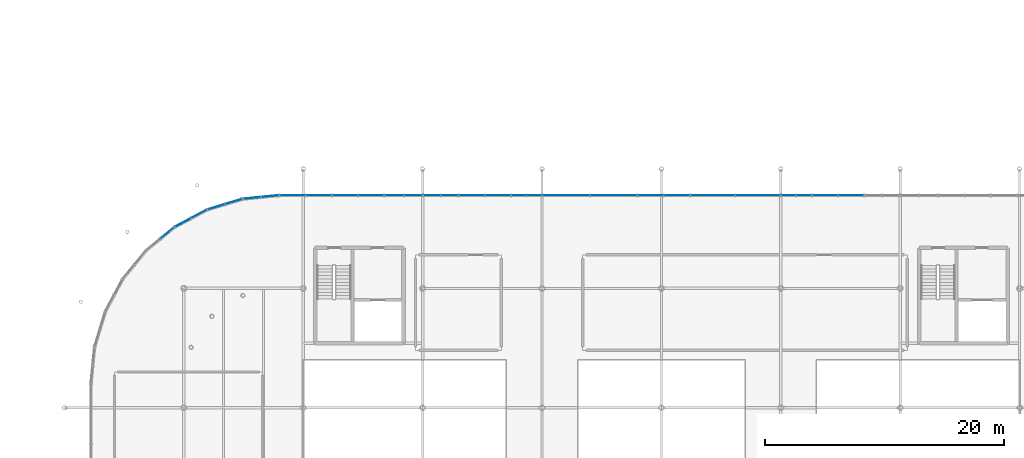
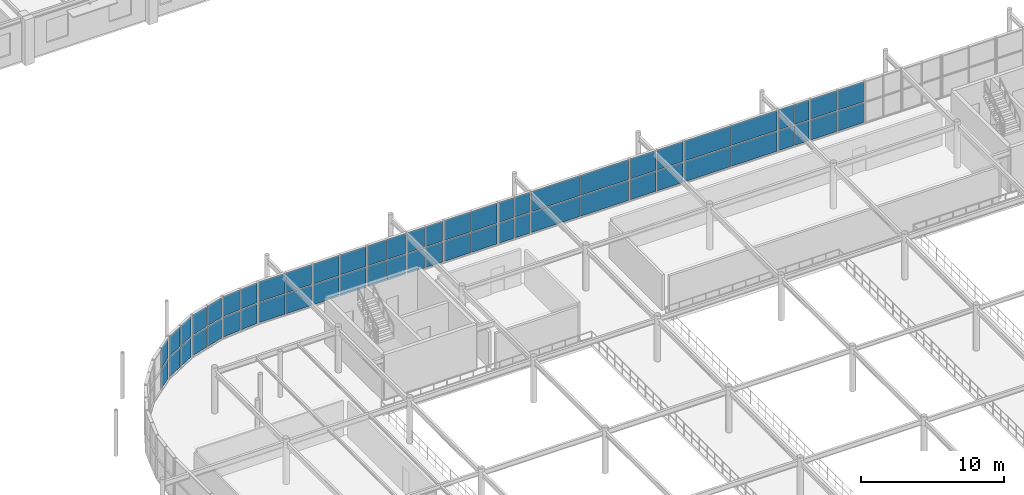
# One storey, part 68 of 98: 58 plates, 15 elements without a shape of their own.
"""IFC4 building model written with IfcOpenShell, lengths in metres."""

from ifc_helpers import new_model, si_unit, derived_unit, direction, frame, origin, origin_2d_with_axis, place, context, subcontext, project, spatial, rectangle, extrude, material, layer, layer_set, type_object, element, aggregate, save


model = new_model("IFC4")

# Units and contexts
model_context = context("Model", 3, precision=1e-05, world=origin(), true_north=direction((0.0, 1.0)))
body_context = subcontext(model_context, "Body", "Model", "MODEL_VIEW")
ifc_project = project(units=[si_unit("LENGTHUNIT", "METRE"), si_unit("AREAUNIT", "SQUARE_METRE"), si_unit("VOLUMEUNIT", "CUBIC_METRE"), si_unit("PLANEANGLEUNIT", "RADIAN"), si_unit("MASSUNIT", "GRAM", prefix="KILO"), derived_unit("THERMALTRANSMITTANCEUNIT", [(si_unit("POWERUNIT", "WATT"), 1), (si_unit("LENGTHUNIT", "METRE"), -2), (si_unit("THERMODYNAMICTEMPERATUREUNIT", "KELVIN"), -1)])], contexts=[model_context])

# Site, building, storey
site_placement = place(None, origin())
site = spatial("IfcSite", under=ifc_project, at=site_placement, CompositionType="ELEMENT")
building_placement = place(site_placement, origin())
building = spatial("IfcBuilding", under=site, at=building_placement, Name="Cinnabar Yard Market Hall", CompositionType="ELEMENT")
storey_placement = place(building_placement, frame((0.0, 0.0, 4.5)))
storey = spatial("IfcBuildingStorey", under=building, at=storey_placement, Name="L01", CompositionType="ELEMENT", Elevation=4.5)

# Curtain wall, plates
ifc_material_1 = material(Name="Anodised bronze aluminium and low-E glass", Category="aluminium")
curtain_wall_type_1 = type_object("IfcCurtainWallType", Name="CW-CWH026x36", PredefinedType="NOTDEFINED", material=ifc_material_1)
curtain_wall_1_placement = place(storey_placement, origin())
curtain_wall_1 = element("IfcCurtainWall", 1, at=curtain_wall_1_placement, inside=storey, type_object=curtain_wall_type_1, Name="Market Hall North Gallery Glazing B2B", PredefinedType="NOTDEFINED")
ifc_material_2 = material(Name="Low-E laminated glass", Category="glass")
ifc_layer_1 = layer(ifc_material_2, 0.031982421875)
ifc_layer_set_1 = layer_set([ifc_layer_1], Name="Low-E laminated glass")
plate_type_1 = type_object("IfcPlateType", Name="CWP-GP118x171", PredefinedType="CURTAIN_PANEL", material=ifc_layer_set_1)
plate_1_placement = place(storey_placement, frame((105.330078125, 71.800048828125, 0.080078125), z_axis=(0.0, 0.0, 1.0), x_axis=(-1.0, 0.0, 0.0)))
plate_1 = element("IfcPlate", 2, at=plate_1_placement, type_object=plate_type_1, Name="CWH026x36 panel 1.1", PredefinedType="CURTAIN_PANEL", context=body_context, shape_type="SweptSolid", body=[
    extrude(rectangle(XDim=1.179931640625, YDim=0.031982421875, at=origin_2d_with_axis()), origin(), (0.0, 0.0, 1.0), 1.705078125),
])
plate_2_placement = place(storey_placement, frame((105.330078125, 71.800048828125, 1.864990234375), z_axis=(0.0, 0.0, 1.0), x_axis=(-1.0, 0.0, 0.0)))
plate_2 = element("IfcPlate", 3, at=plate_2_placement, type_object=plate_type_1, Name="CWH026x36 panel 1.2", PredefinedType="CURTAIN_PANEL", context=body_context, shape_type="SweptSolid", body=[
    extrude(rectangle(XDim=1.179931640625, YDim=0.031982421875, at=origin_2d_with_axis()), origin(), (0.0, 0.0, 1.0), 1.705078125),
])
plate_3_placement = place(storey_placement, frame((104.070068359375, 71.800048828125, 0.080078125), z_axis=(0.0, 0.0, 1.0), x_axis=(-1.0, 0.0, 0.0)))
plate_3 = element("IfcPlate", 4, at=plate_3_placement, type_object=plate_type_1, Name="CWH026x36 panel 2.1", PredefinedType="CURTAIN_PANEL", context=body_context, shape_type="SweptSolid", body=[
    extrude(rectangle(XDim=1.179931640625, YDim=0.031982421875, at=origin_2d_with_axis()), origin(), (0.0, 0.0, 1.0), 1.705078125),
])
plate_4_placement = place(storey_placement, frame((104.070068359375, 71.800048828125, 1.864990234375), z_axis=(0.0, 0.0, 1.0), x_axis=(-1.0, 0.0, 0.0)))
plate_4 = element("IfcPlate", 5, at=plate_4_placement, type_object=plate_type_1, Name="CWH026x36 panel 2.2", PredefinedType="CURTAIN_PANEL", context=body_context, shape_type="SweptSolid", body=[
    extrude(rectangle(XDim=1.179931640625, YDim=0.031982421875, at=origin_2d_with_axis()), origin(), (0.0, 0.0, 1.0), 1.705078125),
])
aggregate(curtain_wall_1, [plate_1, plate_2, plate_3, plate_4])

curtain_wall_2_placement = place(storey_placement, origin())
curtain_wall_2 = element("IfcCurtainWall", 6, at=curtain_wall_2_placement, inside=storey, type_object=curtain_wall_type_1, Name="Market Hall North Gallery Glazing B5A", PredefinedType="NOTDEFINED")
plate_5_placement = place(storey_placement, frame((127.929931640625, 71.800048828125, 0.080078125), z_axis=(0.0, 0.0, 1.0), x_axis=(-1.0, 0.0, 0.0)))
plate_5 = element("IfcPlate", 7, at=plate_5_placement, type_object=plate_type_1, Name="CWH026x36 panel 1.1", PredefinedType="CURTAIN_PANEL", context=body_context, shape_type="SweptSolid", body=[
    extrude(rectangle(XDim=1.179931640625, YDim=0.031982421875, at=origin_2d_with_axis()), origin(), (0.0, 0.0, 1.0), 1.705078125),
])
plate_6_placement = place(storey_placement, frame((127.929931640625, 71.800048828125, 1.864990234375), z_axis=(0.0, 0.0, 1.0), x_axis=(-1.0, 0.0, 0.0)))
plate_6 = element("IfcPlate", 8, at=plate_6_placement, type_object=plate_type_1, Name="CWH026x36 panel 1.2", PredefinedType="CURTAIN_PANEL", context=body_context, shape_type="SweptSolid", body=[
    extrude(rectangle(XDim=1.179931640625, YDim=0.031982421875, at=origin_2d_with_axis()), origin(), (0.0, 0.0, 1.0), 1.705078125),
])
plate_7_placement = place(storey_placement, frame((126.669921875, 71.800048828125, 0.080078125), z_axis=(0.0, 0.0, 1.0), x_axis=(-1.0, 0.0, 0.0)))
plate_7 = element("IfcPlate", 9, at=plate_7_placement, type_object=plate_type_1, Name="CWH026x36 panel 2.1", PredefinedType="CURTAIN_PANEL", context=body_context, shape_type="SweptSolid", body=[
    extrude(rectangle(XDim=1.179931640625, YDim=0.031982421875, at=origin_2d_with_axis()), origin(), (0.0, 0.0, 1.0), 1.705078125),
])
plate_8_placement = place(storey_placement, frame((126.669921875, 71.800048828125, 1.864990234375), z_axis=(0.0, 0.0, 1.0), x_axis=(-1.0, 0.0, 0.0)))
plate_8 = element("IfcPlate", 10, at=plate_8_placement, type_object=plate_type_1, Name="CWH026x36 panel 2.2", PredefinedType="CURTAIN_PANEL", context=body_context, shape_type="SweptSolid", body=[
    extrude(rectangle(XDim=1.179931640625, YDim=0.031982421875, at=origin_2d_with_axis()), origin(), (0.0, 0.0, 1.0), 1.705078125),
])
aggregate(curtain_wall_2, [plate_5, plate_6, plate_7, plate_8])

curtain_wall_type_2 = type_object("IfcCurtainWallType", Name="CW-CWH030x36", PredefinedType="NOTDEFINED", material=ifc_material_1)
curtain_wall_3_placement = place(storey_placement, origin())
curtain_wall_3 = element("IfcCurtainWall", 11, at=curtain_wall_3_placement, inside=storey, type_object=curtain_wall_type_2, Name="Market Hall North Gallery Glazing B2A", PredefinedType="NOTDEFINED")
ifc_layer_2 = layer(ifc_material_2, 0.031982421875)
ifc_layer_set_2 = layer_set([ifc_layer_2], Name="Low-E laminated glass")
plate_type_2 = type_object("IfcPlateType", Name="CWP-GP138x171", PredefinedType="CURTAIN_PANEL", material=ifc_layer_set_2)
plate_9_placement = place(storey_placement, frame((98.22998046875, 71.800048828125, 0.080078125), z_axis=(0.0, 0.0, 1.0), x_axis=(-1.0, 0.0, 0.0)))
plate_9 = element("IfcPlate", 12, at=plate_9_placement, type_object=plate_type_2, Name="CWH030x36 panel 1.1", PredefinedType="CURTAIN_PANEL", context=body_context, shape_type="SweptSolid", body=[
    extrude(rectangle(XDim=1.3798828125, YDim=0.031982421875, at=origin_2d_with_axis()), origin(), (0.0, 0.0, 1.0), 1.705078125),
])
plate_10_placement = place(storey_placement, frame((98.22998046875, 71.800048828125, 1.864990234375), z_axis=(0.0, 0.0, 1.0), x_axis=(-1.0, 0.0, 0.0)))
plate_10 = element("IfcPlate", 13, at=plate_10_placement, type_object=plate_type_2, Name="CWH030x36 panel 1.2", PredefinedType="CURTAIN_PANEL", context=body_context, shape_type="SweptSolid", body=[
    extrude(rectangle(XDim=1.3798828125, YDim=0.031982421875, at=origin_2d_with_axis()), origin(), (0.0, 0.0, 1.0), 1.705078125),
])
plate_11_placement = place(storey_placement, frame((96.77001953125, 71.800048828125, 0.080078125), z_axis=(0.0, 0.0, 1.0), x_axis=(-1.0, 0.0, 0.0)))
plate_11 = element("IfcPlate", 14, at=plate_11_placement, type_object=plate_type_2, Name="CWH030x36 panel 2.1", PredefinedType="CURTAIN_PANEL", context=body_context, shape_type="SweptSolid", body=[
    extrude(rectangle(XDim=1.3798828125, YDim=0.031982421875, at=origin_2d_with_axis()), origin(), (0.0, 0.0, 1.0), 1.705078125),
])
plate_12_placement = place(storey_placement, frame((96.77001953125, 71.800048828125, 1.864990234375), z_axis=(0.0, 0.0, 1.0), x_axis=(-1.0, 0.0, 0.0)))
plate_12 = element("IfcPlate", 15, at=plate_12_placement, type_object=plate_type_2, Name="CWH030x36 panel 2.2", PredefinedType="CURTAIN_PANEL", context=body_context, shape_type="SweptSolid", body=[
    extrude(rectangle(XDim=1.3798828125, YDim=0.031982421875, at=origin_2d_with_axis()), origin(), (0.0, 0.0, 1.0), 1.705078125),
])
aggregate(curtain_wall_3, [plate_9, plate_10, plate_11, plate_12])

ifc_material_3 = material(Name="Anodised bronze aluminium curved-chord facade", Category="aluminium")
curtain_wall_type_3 = type_object("IfcCurtainWallType", Name="CW-CWC031x36", PredefinedType="NOTDEFINED", material=ifc_material_3)
curtain_wall_4_placement = place(storey_placement, origin())
curtain_wall_4 = element("IfcCurtainWall", 16, at=curtain_wall_4_placement, inside=storey, type_object=curtain_wall_type_3, Name="Corner NW Chord 1 L01", PredefinedType="NOTDEFINED")
ifc_layer_3 = layer(ifc_material_2, 0.031982421875)
ifc_layer_set_3 = layer_set([ifc_layer_3], Name="Low-E laminated glass")
plate_type_3 = type_object("IfcPlateType", Name="CWP-GP141x169", PredefinedType="CURTAIN_PANEL", material=ifc_layer_set_3)
plate_13_placement = place(storey_placement, frame((83.20703125, 71.721923828125, 0.090087890625), z_axis=(0.0, 0.0, 1.0), x_axis=(-0.995184408637, -0.098020369342, 0.0)))
plate_13 = element("IfcPlate", 17, at=plate_13_placement, type_object=plate_type_3, Name="CWC031x36 panel 1.1", PredefinedType="CURTAIN_PANEL", context=body_context, shape_type="SweptSolid", body=[
    extrude(rectangle(XDim=1.41357421875, YDim=0.031982421875, at=origin_2d_with_axis()), origin(), (0.0, 0.0, 1.0), 1.68994140625),
])
plate_14_placement = place(storey_placement, frame((83.20703125, 71.721923828125, 1.8701171875), z_axis=(0.0, 0.0, 1.0), x_axis=(-0.995184408637, -0.098020369342, 0.0)))
plate_14 = element("IfcPlate", 18, at=plate_14_placement, type_object=plate_type_3, Name="CWC031x36 panel 1.2", PredefinedType="CURTAIN_PANEL", context=body_context, shape_type="SweptSolid", body=[
    extrude(rectangle(XDim=1.41357421875, YDim=0.031982421875, at=origin_2d_with_axis()), origin(), (0.0, 0.0, 1.0), 1.68994140625),
])
plate_15_placement = place(storey_placement, frame((81.710693359375, 71.574462890625, 0.090087890625), z_axis=(0.0, 0.0, 1.0), x_axis=(-0.995184408637, -0.098020369342, 0.0)))
plate_15 = element("IfcPlate", 19, at=plate_15_placement, type_object=plate_type_3, Name="CWC031x36 panel 2.1", PredefinedType="CURTAIN_PANEL", context=body_context, shape_type="SweptSolid", body=[
    extrude(rectangle(XDim=1.41357421875, YDim=0.031982421875, at=origin_2d_with_axis()), origin(), (0.0, 0.0, 1.0), 1.68994140625),
])
plate_16_placement = place(storey_placement, frame((81.710693359375, 71.574462890625, 1.8701171875), z_axis=(0.0, 0.0, 1.0), x_axis=(-0.995184408637, -0.098020369342, 0.0)))
plate_16 = element("IfcPlate", 20, at=plate_16_placement, type_object=plate_type_3, Name="CWC031x36 panel 2.2", PredefinedType="CURTAIN_PANEL", context=body_context, shape_type="SweptSolid", body=[
    extrude(rectangle(XDim=1.41357421875, YDim=0.031982421875, at=origin_2d_with_axis()), origin(), (0.0, 0.0, 1.0), 1.68994140625),
])
aggregate(curtain_wall_4, [plate_13, plate_14, plate_15, plate_16])

curtain_wall_5_placement = place(storey_placement, origin())
curtain_wall_5 = element("IfcCurtainWall", 21, at=curtain_wall_5_placement, inside=storey, type_object=curtain_wall_type_3, Name="Corner NW Chord 2 L01", PredefinedType="NOTDEFINED")
plate_17_placement = place(storey_placement, frame((80.155029296875, 71.26513671875, 0.090087890625), z_axis=(0.0, 0.0, 1.0), x_axis=(-0.956942090856, -0.290278891325, 0.0)))
plate_17 = element("IfcPlate", 22, at=plate_17_placement, type_object=plate_type_3, Name="CWC031x36 panel 1.1", PredefinedType="CURTAIN_PANEL", context=body_context, shape_type="SweptSolid", body=[
    extrude(rectangle(XDim=1.41357421875, YDim=0.031982421875, at=origin_2d_with_axis()), origin(), (0.0, 0.0, 1.0), 1.68994140625),
])
plate_18_placement = place(storey_placement, frame((80.155029296875, 71.26513671875, 1.8701171875), z_axis=(0.0, 0.0, 1.0), x_axis=(-0.956942090856, -0.290278891325, 0.0)))
plate_18 = element("IfcPlate", 23, at=plate_18_placement, type_object=plate_type_3, Name="CWC031x36 panel 1.2", PredefinedType="CURTAIN_PANEL", context=body_context, shape_type="SweptSolid", body=[
    extrude(rectangle(XDim=1.41357421875, YDim=0.031982421875, at=origin_2d_with_axis()), origin(), (0.0, 0.0, 1.0), 1.68994140625),
])
plate_19_placement = place(storey_placement, frame((78.716064453125, 70.82861328125, 0.090087890625), z_axis=(0.0, 0.0, 1.0), x_axis=(-0.956942090856, -0.290278891325, 0.0)))
plate_19 = element("IfcPlate", 24, at=plate_19_placement, type_object=plate_type_3, Name="CWC031x36 panel 2.1", PredefinedType="CURTAIN_PANEL", context=body_context, shape_type="SweptSolid", body=[
    extrude(rectangle(XDim=1.41357421875, YDim=0.031982421875, at=origin_2d_with_axis()), origin(), (0.0, 0.0, 1.0), 1.68994140625),
])
plate_20_placement = place(storey_placement, frame((78.716064453125, 70.82861328125, 1.8701171875), z_axis=(0.0, 0.0, 1.0), x_axis=(-0.956942090856, -0.290278891325, 0.0)))
plate_20 = element("IfcPlate", 25, at=plate_20_placement, type_object=plate_type_3, Name="CWC031x36 panel 2.2", PredefinedType="CURTAIN_PANEL", context=body_context, shape_type="SweptSolid", body=[
    extrude(rectangle(XDim=1.41357421875, YDim=0.031982421875, at=origin_2d_with_axis()), origin(), (0.0, 0.0, 1.0), 1.68994140625),
])
aggregate(curtain_wall_5, [plate_17, plate_18, plate_19, plate_20])

curtain_wall_6_placement = place(storey_placement, origin())
curtain_wall_6 = element("IfcCurtainWall", 26, at=curtain_wall_6_placement, inside=storey, type_object=curtain_wall_type_3, Name="Corner NW Chord 3 L01", PredefinedType="NOTDEFINED")
plate_21_placement = place(storey_placement, frame((77.2509765625, 70.2216796875, 0.090087890625), z_axis=(0.0, 0.0, 1.0), x_axis=(-0.881917320707, -0.471404114786, 0.0)))
plate_21 = element("IfcPlate", 27, at=plate_21_placement, type_object=plate_type_3, Name="CWC031x36 panel 1.1", PredefinedType="CURTAIN_PANEL", context=body_context, shape_type="SweptSolid", body=[
    extrude(rectangle(XDim=1.41357421875, YDim=0.031982421875, at=origin_2d_with_axis()), origin(), (0.0, 0.0, 1.0), 1.68994140625),
])
plate_22_placement = place(storey_placement, frame((77.2509765625, 70.2216796875, 1.8701171875), z_axis=(0.0, 0.0, 1.0), x_axis=(-0.881917320707, -0.471404114786, 0.0)))
plate_22 = element("IfcPlate", 28, at=plate_22_placement, type_object=plate_type_3, Name="CWC031x36 panel 1.2", PredefinedType="CURTAIN_PANEL", context=body_context, shape_type="SweptSolid", body=[
    extrude(rectangle(XDim=1.41357421875, YDim=0.031982421875, at=origin_2d_with_axis()), origin(), (0.0, 0.0, 1.0), 1.68994140625),
])
plate_23_placement = place(storey_placement, frame((75.9248046875, 69.512939453125, 0.090087890625), z_axis=(0.0, 0.0, 1.0), x_axis=(-0.881917320707, -0.471404114786, 0.0)))
plate_23 = element("IfcPlate", 29, at=plate_23_placement, type_object=plate_type_3, Name="CWC031x36 panel 2.1", PredefinedType="CURTAIN_PANEL", context=body_context, shape_type="SweptSolid", body=[
    extrude(rectangle(XDim=1.41357421875, YDim=0.031982421875, at=origin_2d_with_axis()), origin(), (0.0, 0.0, 1.0), 1.68994140625),
])
plate_24_placement = place(storey_placement, frame((75.9248046875, 69.512939453125, 1.8701171875), z_axis=(0.0, 0.0, 1.0), x_axis=(-0.881917320707, -0.471404114786, 0.0)))
plate_24 = element("IfcPlate", 30, at=plate_24_placement, type_object=plate_type_3, Name="CWC031x36 panel 2.2", PredefinedType="CURTAIN_PANEL", context=body_context, shape_type="SweptSolid", body=[
    extrude(rectangle(XDim=1.41357421875, YDim=0.031982421875, at=origin_2d_with_axis()), origin(), (0.0, 0.0, 1.0), 1.68994140625),
])
aggregate(curtain_wall_6, [plate_21, plate_22, plate_23, plate_24])

curtain_wall_7_placement = place(storey_placement, origin())
curtain_wall_7 = element("IfcCurtainWall", 31, at=curtain_wall_7_placement, inside=storey, type_object=curtain_wall_type_3, Name="Corner NW Chord 4 L01", PredefinedType="NOTDEFINED")
plate_25_placement = place(storey_placement, frame((74.60595703125, 68.631591796875, 0.090087890625), z_axis=(0.0, 0.0, 1.0), x_axis=(-0.773018564222, -0.634383400924, 0.0)))
plate_25 = element("IfcPlate", 32, at=plate_25_placement, type_object=plate_type_3, Name="CWC031x36 panel 1.1", PredefinedType="CURTAIN_PANEL", context=body_context, shape_type="SweptSolid", body=[
    extrude(rectangle(XDim=1.41357421875, YDim=0.031982421875, at=origin_2d_with_axis()), origin(), (0.0, 0.0, 1.0), 1.68994140625),
])
plate_26_placement = place(storey_placement, frame((74.60595703125, 68.631591796875, 1.8701171875), z_axis=(0.0, 0.0, 1.0), x_axis=(-0.773018564222, -0.634383400924, 0.0)))
plate_26 = element("IfcPlate", 33, at=plate_26_placement, type_object=plate_type_3, Name="CWC031x36 panel 1.2", PredefinedType="CURTAIN_PANEL", context=body_context, shape_type="SweptSolid", body=[
    extrude(rectangle(XDim=1.41357421875, YDim=0.031982421875, at=origin_2d_with_axis()), origin(), (0.0, 0.0, 1.0), 1.68994140625),
])
aggregate(curtain_wall_7, [plate_25, plate_26])

curtain_wall_type_4 = type_object("IfcCurtainWallType", Name="CW-CWH032x36", PredefinedType="NOTDEFINED", material=ifc_material_1)
curtain_wall_8_placement = place(storey_placement, origin())
curtain_wall_8 = element("IfcCurtainWall", 34, at=curtain_wall_8_placement, inside=storey, type_object=curtain_wall_type_4, Name="Market Hall North Gallery Glazing B1B", PredefinedType="NOTDEFINED")
ifc_layer_4 = layer(ifc_material_2, 0.031982421875)
ifc_layer_set_4 = layer_set([ifc_layer_4], Name="Low-E laminated glass")
plate_type_4 = type_object("IfcPlateType", Name="CWP-GP148x171", PredefinedType="CURTAIN_PANEL", material=ifc_layer_set_4)
plate_27_placement = place(storey_placement, frame((95.179931640625, 71.800048828125, 0.080078125), z_axis=(0.0, 0.0, 1.0), x_axis=(-1.0, 0.0, 0.0)))
plate_27 = element("IfcPlate", 35, at=plate_27_placement, type_object=plate_type_4, Name="CWH032x36 panel 1.1", PredefinedType="CURTAIN_PANEL", context=body_context, shape_type="SweptSolid", body=[
    extrude(rectangle(XDim=1.47998046875, YDim=0.031982421875, at=origin_2d_with_axis()), origin(), (0.0, 0.0, 1.0), 1.705078125),
])
plate_28_placement = place(storey_placement, frame((95.179931640625, 71.800048828125, 1.864990234375), z_axis=(0.0, 0.0, 1.0), x_axis=(-1.0, 0.0, 0.0)))
plate_28 = element("IfcPlate", 36, at=plate_28_placement, type_object=plate_type_4, Name="CWH032x36 panel 1.2", PredefinedType="CURTAIN_PANEL", context=body_context, shape_type="SweptSolid", body=[
    extrude(rectangle(XDim=1.47998046875, YDim=0.031982421875, at=origin_2d_with_axis()), origin(), (0.0, 0.0, 1.0), 1.705078125),
])
plate_29_placement = place(storey_placement, frame((93.6201171875, 71.800048828125, 0.080078125), z_axis=(0.0, 0.0, 1.0), x_axis=(-1.0, 0.0, 0.0)))
plate_29 = element("IfcPlate", 37, at=plate_29_placement, type_object=plate_type_4, Name="CWH032x36 panel 2.1", PredefinedType="CURTAIN_PANEL", context=body_context, shape_type="SweptSolid", body=[
    extrude(rectangle(XDim=1.47998046875, YDim=0.031982421875, at=origin_2d_with_axis()), origin(), (0.0, 0.0, 1.0), 1.705078125),
])
plate_30_placement = place(storey_placement, frame((93.6201171875, 71.800048828125, 1.864990234375), z_axis=(0.0, 0.0, 1.0), x_axis=(-1.0, 0.0, 0.0)))
plate_30 = element("IfcPlate", 38, at=plate_30_placement, type_object=plate_type_4, Name="CWH032x36 panel 2.2", PredefinedType="CURTAIN_PANEL", context=body_context, shape_type="SweptSolid", body=[
    extrude(rectangle(XDim=1.47998046875, YDim=0.031982421875, at=origin_2d_with_axis()), origin(), (0.0, 0.0, 1.0), 1.705078125),
])
aggregate(curtain_wall_8, [plate_27, plate_28, plate_29, plate_30])

curtain_wall_type_5 = type_object("IfcCurtainWallType", Name="CW-CWH044x36", PredefinedType="NOTDEFINED", material=ifc_material_1)
curtain_wall_9_placement = place(storey_placement, origin())
curtain_wall_9 = element("IfcCurtainWall", 39, at=curtain_wall_9_placement, inside=storey, type_object=curtain_wall_type_5, Name="Market Hall North Gallery Glazing B1A", PredefinedType="NOTDEFINED")
ifc_layer_5 = layer(ifc_material_2, 0.031982421875)
ifc_layer_set_5 = layer_set([ifc_layer_5], Name="Low-E laminated glass")
plate_type_5 = type_object("IfcPlateType", Name="CWP-GP208x171", PredefinedType="CURTAIN_PANEL", material=ifc_layer_set_5)
plate_31_placement = place(storey_placement, frame((87.280029296875, 71.800048828125, 0.080078125), z_axis=(0.0, 0.0, 1.0), x_axis=(-1.0, 0.0, 0.0)))
plate_31 = element("IfcPlate", 40, at=plate_31_placement, type_object=plate_type_5, Name="CWH044x36 panel 1.1", PredefinedType="CURTAIN_PANEL", context=body_context, shape_type="SweptSolid", body=[
    extrude(rectangle(XDim=2.080078125, YDim=0.031982421875, at=origin_2d_with_axis()), origin(), (0.0, 0.0, 1.0), 1.705078125),
])
plate_32_placement = place(storey_placement, frame((87.280029296875, 71.800048828125, 1.864990234375), z_axis=(0.0, 0.0, 1.0), x_axis=(-1.0, 0.0, 0.0)))
plate_32 = element("IfcPlate", 41, at=plate_32_placement, type_object=plate_type_5, Name="CWH044x36 panel 1.2", PredefinedType="CURTAIN_PANEL", context=body_context, shape_type="SweptSolid", body=[
    extrude(rectangle(XDim=2.080078125, YDim=0.031982421875, at=origin_2d_with_axis()), origin(), (0.0, 0.0, 1.0), 1.705078125),
])
plate_33_placement = place(storey_placement, frame((85.1201171875, 71.800048828125, 0.080078125), z_axis=(0.0, 0.0, 1.0), x_axis=(-1.0, 0.0, 0.0)))
plate_33 = element("IfcPlate", 42, at=plate_33_placement, type_object=plate_type_5, Name="CWH044x36 panel 2.1", PredefinedType="CURTAIN_PANEL", context=body_context, shape_type="SweptSolid", body=[
    extrude(rectangle(XDim=2.080078125, YDim=0.031982421875, at=origin_2d_with_axis()), origin(), (0.0, 0.0, 1.0), 1.705078125),
])
plate_34_placement = place(storey_placement, frame((85.1201171875, 71.800048828125, 1.864990234375), z_axis=(0.0, 0.0, 1.0), x_axis=(-1.0, 0.0, 0.0)))
plate_34 = element("IfcPlate", 43, at=plate_34_placement, type_object=plate_type_5, Name="CWH044x36 panel 2.2", PredefinedType="CURTAIN_PANEL", context=body_context, shape_type="SweptSolid", body=[
    extrude(rectangle(XDim=2.080078125, YDim=0.031982421875, at=origin_2d_with_axis()), origin(), (0.0, 0.0, 1.0), 1.705078125),
])
aggregate(curtain_wall_9, [plate_31, plate_32, plate_33, plate_34])

curtain_wall_10_placement = place(storey_placement, origin())
curtain_wall_10 = element("IfcCurtainWall", 44, at=curtain_wall_10_placement, inside=storey, type_object=curtain_wall_type_5, Name="Market Hall North Gallery Glazing PTW", PredefinedType="NOTDEFINED")
plate_35_placement = place(storey_placement, frame((91.679931640625, 71.800048828125, 0.080078125), z_axis=(0.0, 0.0, 1.0), x_axis=(-1.0, 0.0, 0.0)))
plate_35 = element("IfcPlate", 45, at=plate_35_placement, type_object=plate_type_5, Name="CWH044x36 panel 1.1", PredefinedType="CURTAIN_PANEL", context=body_context, shape_type="SweptSolid", body=[
    extrude(rectangle(XDim=2.080078125, YDim=0.031982421875, at=origin_2d_with_axis()), origin(), (0.0, 0.0, 1.0), 1.705078125),
])
plate_36_placement = place(storey_placement, frame((91.679931640625, 71.800048828125, 1.864990234375), z_axis=(0.0, 0.0, 1.0), x_axis=(-1.0, 0.0, 0.0)))
plate_36 = element("IfcPlate", 46, at=plate_36_placement, type_object=plate_type_5, Name="CWH044x36 panel 1.2", PredefinedType="CURTAIN_PANEL", context=body_context, shape_type="SweptSolid", body=[
    extrude(rectangle(XDim=2.080078125, YDim=0.031982421875, at=origin_2d_with_axis()), origin(), (0.0, 0.0, 1.0), 1.705078125),
])
plate_37_placement = place(storey_placement, frame((89.52001953125, 71.800048828125, 0.080078125), z_axis=(0.0, 0.0, 1.0), x_axis=(-1.0, 0.0, 0.0)))
plate_37 = element("IfcPlate", 47, at=plate_37_placement, type_object=plate_type_5, Name="CWH044x36 panel 2.1", PredefinedType="CURTAIN_PANEL", context=body_context, shape_type="SweptSolid", body=[
    extrude(rectangle(XDim=2.080078125, YDim=0.031982421875, at=origin_2d_with_axis()), origin(), (0.0, 0.0, 1.0), 1.705078125),
])
plate_38_placement = place(storey_placement, frame((89.52001953125, 71.800048828125, 1.864990234375), z_axis=(0.0, 0.0, 1.0), x_axis=(-1.0, 0.0, 0.0)))
plate_38 = element("IfcPlate", 48, at=plate_38_placement, type_object=plate_type_5, Name="CWH044x36 panel 2.2", PredefinedType="CURTAIN_PANEL", context=body_context, shape_type="SweptSolid", body=[
    extrude(rectangle(XDim=2.080078125, YDim=0.031982421875, at=origin_2d_with_axis()), origin(), (0.0, 0.0, 1.0), 1.705078125),
])
aggregate(curtain_wall_10, [plate_35, plate_36, plate_37, plate_38])

curtain_wall_11_placement = place(storey_placement, origin())
curtain_wall_11 = element("IfcCurtainWall", 49, at=curtain_wall_11_placement, inside=storey, type_object=curtain_wall_type_5, Name="Market Hall North Gallery Glazing PTB2", PredefinedType="NOTDEFINED")
plate_39_placement = place(storey_placement, frame((102.280029296875, 71.800048828125, 0.080078125), z_axis=(0.0, 0.0, 1.0), x_axis=(-1.0, 0.0, 0.0)))
plate_39 = element("IfcPlate", 50, at=plate_39_placement, type_object=plate_type_5, Name="CWH044x36 panel 1.1", PredefinedType="CURTAIN_PANEL", context=body_context, shape_type="SweptSolid", body=[
    extrude(rectangle(XDim=2.080078125, YDim=0.031982421875, at=origin_2d_with_axis()), origin(), (0.0, 0.0, 1.0), 1.705078125),
])
plate_40_placement = place(storey_placement, frame((102.280029296875, 71.800048828125, 1.864990234375), z_axis=(0.0, 0.0, 1.0), x_axis=(-1.0, 0.0, 0.0)))
plate_40 = element("IfcPlate", 51, at=plate_40_placement, type_object=plate_type_5, Name="CWH044x36 panel 1.2", PredefinedType="CURTAIN_PANEL", context=body_context, shape_type="SweptSolid", body=[
    extrude(rectangle(XDim=2.080078125, YDim=0.031982421875, at=origin_2d_with_axis()), origin(), (0.0, 0.0, 1.0), 1.705078125),
])
plate_41_placement = place(storey_placement, frame((100.1201171875, 71.800048828125, 0.080078125), z_axis=(0.0, 0.0, 1.0), x_axis=(-1.0, 0.0, 0.0)))
plate_41 = element("IfcPlate", 52, at=plate_41_placement, type_object=plate_type_5, Name="CWH044x36 panel 2.1", PredefinedType="CURTAIN_PANEL", context=body_context, shape_type="SweptSolid", body=[
    extrude(rectangle(XDim=2.080078125, YDim=0.031982421875, at=origin_2d_with_axis()), origin(), (0.0, 0.0, 1.0), 1.705078125),
])
plate_42_placement = place(storey_placement, frame((100.1201171875, 71.800048828125, 1.864990234375), z_axis=(0.0, 0.0, 1.0), x_axis=(-1.0, 0.0, 0.0)))
plate_42 = element("IfcPlate", 53, at=plate_42_placement, type_object=plate_type_5, Name="CWH044x36 panel 2.2", PredefinedType="CURTAIN_PANEL", context=body_context, shape_type="SweptSolid", body=[
    extrude(rectangle(XDim=2.080078125, YDim=0.031982421875, at=origin_2d_with_axis()), origin(), (0.0, 0.0, 1.0), 1.705078125),
])
aggregate(curtain_wall_11, [plate_39, plate_40, plate_41, plate_42])

curtain_wall_12_placement = place(storey_placement, origin())
curtain_wall_12 = element("IfcCurtainWall", 54, at=curtain_wall_12_placement, inside=storey, type_object=curtain_wall_type_5, Name="Market Hall North Gallery Glazing PT1", PredefinedType="NOTDEFINED")
plate_43_placement = place(storey_placement, frame((117.280029296875, 71.800048828125, 0.080078125), z_axis=(0.0, 0.0, 1.0), x_axis=(-1.0, 0.0, 0.0)))
plate_43 = element("IfcPlate", 55, at=plate_43_placement, type_object=plate_type_5, Name="CWH044x36 panel 1.1", PredefinedType="CURTAIN_PANEL", context=body_context, shape_type="SweptSolid", body=[
    extrude(rectangle(XDim=2.080078125, YDim=0.031982421875, at=origin_2d_with_axis()), origin(), (0.0, 0.0, 1.0), 1.705078125),
])
plate_44_placement = place(storey_placement, frame((117.280029296875, 71.800048828125, 1.864990234375), z_axis=(0.0, 0.0, 1.0), x_axis=(-1.0, 0.0, 0.0)))
plate_44 = element("IfcPlate", 56, at=plate_44_placement, type_object=plate_type_5, Name="CWH044x36 panel 1.2", PredefinedType="CURTAIN_PANEL", context=body_context, shape_type="SweptSolid", body=[
    extrude(rectangle(XDim=2.080078125, YDim=0.031982421875, at=origin_2d_with_axis()), origin(), (0.0, 0.0, 1.0), 1.705078125),
])
plate_45_placement = place(storey_placement, frame((115.1201171875, 71.800048828125, 0.080078125), z_axis=(0.0, 0.0, 1.0), x_axis=(-1.0, 0.0, 0.0)))
plate_45 = element("IfcPlate", 57, at=plate_45_placement, type_object=plate_type_5, Name="CWH044x36 panel 2.1", PredefinedType="CURTAIN_PANEL", context=body_context, shape_type="SweptSolid", body=[
    extrude(rectangle(XDim=2.080078125, YDim=0.031982421875, at=origin_2d_with_axis()), origin(), (0.0, 0.0, 1.0), 1.705078125),
])
plate_46_placement = place(storey_placement, frame((115.1201171875, 71.800048828125, 1.864990234375), z_axis=(0.0, 0.0, 1.0), x_axis=(-1.0, 0.0, 0.0)))
plate_46 = element("IfcPlate", 58, at=plate_46_placement, type_object=plate_type_5, Name="CWH044x36 panel 2.2", PredefinedType="CURTAIN_PANEL", context=body_context, shape_type="SweptSolid", body=[
    extrude(rectangle(XDim=2.080078125, YDim=0.031982421875, at=origin_2d_with_axis()), origin(), (0.0, 0.0, 1.0), 1.705078125),
])
aggregate(curtain_wall_12, [plate_43, plate_44, plate_45, plate_46])

curtain_wall_13_placement = place(storey_placement, origin())
curtain_wall_13 = element("IfcCurtainWall", 59, at=curtain_wall_13_placement, inside=storey, type_object=curtain_wall_type_5, Name="Market Hall North Gallery Glazing PTB5", PredefinedType="NOTDEFINED")
plate_47_placement = place(storey_placement, frame((131.8798828125, 71.800048828125, 0.080078125), z_axis=(0.0, 0.0, 1.0), x_axis=(-1.0, 0.0, 0.0)))
plate_47 = element("IfcPlate", 60, at=plate_47_placement, type_object=plate_type_5, Name="CWH044x36 panel 1.1", PredefinedType="CURTAIN_PANEL", context=body_context, shape_type="SweptSolid", body=[
    extrude(rectangle(XDim=2.080078125, YDim=0.031982421875, at=origin_2d_with_axis()), origin(), (0.0, 0.0, 1.0), 1.705078125),
])
plate_48_placement = place(storey_placement, frame((131.8798828125, 71.800048828125, 1.864990234375), z_axis=(0.0, 0.0, 1.0), x_axis=(-1.0, 0.0, 0.0)))
plate_48 = element("IfcPlate", 61, at=plate_48_placement, type_object=plate_type_5, Name="CWH044x36 panel 1.2", PredefinedType="CURTAIN_PANEL", context=body_context, shape_type="SweptSolid", body=[
    extrude(rectangle(XDim=2.080078125, YDim=0.031982421875, at=origin_2d_with_axis()), origin(), (0.0, 0.0, 1.0), 1.705078125),
])
plate_49_placement = place(storey_placement, frame((129.719970703125, 71.800048828125, 0.080078125), z_axis=(0.0, 0.0, 1.0), x_axis=(-1.0, 0.0, 0.0)))
plate_49 = element("IfcPlate", 62, at=plate_49_placement, type_object=plate_type_5, Name="CWH044x36 panel 2.1", PredefinedType="CURTAIN_PANEL", context=body_context, shape_type="SweptSolid", body=[
    extrude(rectangle(XDim=2.080078125, YDim=0.031982421875, at=origin_2d_with_axis()), origin(), (0.0, 0.0, 1.0), 1.705078125),
])
plate_50_placement = place(storey_placement, frame((129.719970703125, 71.800048828125, 1.864990234375), z_axis=(0.0, 0.0, 1.0), x_axis=(-1.0, 0.0, 0.0)))
plate_50 = element("IfcPlate", 63, at=plate_50_placement, type_object=plate_type_5, Name="CWH044x36 panel 2.2", PredefinedType="CURTAIN_PANEL", context=body_context, shape_type="SweptSolid", body=[
    extrude(rectangle(XDim=2.080078125, YDim=0.031982421875, at=origin_2d_with_axis()), origin(), (0.0, 0.0, 1.0), 1.705078125),
])
aggregate(curtain_wall_13, [plate_47, plate_48, plate_49, plate_50])

curtain_wall_type_6 = type_object("IfcCurtainWallType", Name="CW-CWH076x36", PredefinedType="NOTDEFINED", material=ifc_material_1)
curtain_wall_14_placement = place(storey_placement, origin())
curtain_wall_14 = element("IfcCurtainWall", 64, at=curtain_wall_14_placement, inside=storey, type_object=curtain_wall_type_6, Name="Market Hall North Gallery Glazing B4", PredefinedType="NOTDEFINED")
ifc_layer_6 = layer(ifc_material_2, 0.031982421875)
ifc_layer_set_6 = layer_set([ifc_layer_6], Name="Low-E laminated glass")
plate_type_6 = type_object("IfcPlateType", Name="CWP-GP368x171", PredefinedType="CURTAIN_PANEL", material=ifc_layer_set_6)
plate_51_placement = place(storey_placement, frame((124.080078125, 71.800048828125, 0.080078125), z_axis=(0.0, 0.0, 1.0), x_axis=(-1.0, 0.0, 0.0)))
plate_51 = element("IfcPlate", 65, at=plate_51_placement, type_object=plate_type_6, Name="CWH076x36 panel 1.1", PredefinedType="CURTAIN_PANEL", context=body_context, shape_type="SweptSolid", body=[
    extrude(rectangle(XDim=3.679931640625, YDim=0.031982421875, at=origin_2d_with_axis()), origin(), (0.0, 0.0, 1.0), 1.705078125),
])
plate_52_placement = place(storey_placement, frame((124.080078125, 71.800048828125, 1.864990234375), z_axis=(0.0, 0.0, 1.0), x_axis=(-1.0, 0.0, 0.0)))
plate_52 = element("IfcPlate", 66, at=plate_52_placement, type_object=plate_type_6, Name="CWH076x36 panel 1.2", PredefinedType="CURTAIN_PANEL", context=body_context, shape_type="SweptSolid", body=[
    extrude(rectangle(XDim=3.679931640625, YDim=0.031982421875, at=origin_2d_with_axis()), origin(), (0.0, 0.0, 1.0), 1.705078125),
])
plate_53_placement = place(storey_placement, frame((120.320068359375, 71.800048828125, 0.080078125), z_axis=(0.0, 0.0, 1.0), x_axis=(-1.0, 0.0, 0.0)))
plate_53 = element("IfcPlate", 67, at=plate_53_placement, type_object=plate_type_6, Name="CWH076x36 panel 2.1", PredefinedType="CURTAIN_PANEL", context=body_context, shape_type="SweptSolid", body=[
    extrude(rectangle(XDim=3.679931640625, YDim=0.031982421875, at=origin_2d_with_axis()), origin(), (0.0, 0.0, 1.0), 1.705078125),
])
plate_54_placement = place(storey_placement, frame((120.320068359375, 71.800048828125, 1.864990234375), z_axis=(0.0, 0.0, 1.0), x_axis=(-1.0, 0.0, 0.0)))
plate_54 = element("IfcPlate", 68, at=plate_54_placement, type_object=plate_type_6, Name="CWH076x36 panel 2.2", PredefinedType="CURTAIN_PANEL", context=body_context, shape_type="SweptSolid", body=[
    extrude(rectangle(XDim=3.679931640625, YDim=0.031982421875, at=origin_2d_with_axis()), origin(), (0.0, 0.0, 1.0), 1.705078125),
])
aggregate(curtain_wall_14, [plate_51, plate_52, plate_53, plate_54])

curtain_wall_type_7 = type_object("IfcCurtainWallType", Name="CW-CWH080x36", PredefinedType="NOTDEFINED", material=ifc_material_1)
curtain_wall_15_placement = place(storey_placement, origin())
curtain_wall_15 = element("IfcCurtainWall", 69, at=curtain_wall_15_placement, inside=storey, type_object=curtain_wall_type_7, Name="Market Hall North Gallery Glazing B3", PredefinedType="NOTDEFINED")
ifc_layer_7 = layer(ifc_material_2, 0.031982421875)
ifc_layer_set_7 = layer_set([ifc_layer_7], Name="Low-E laminated glass")
plate_type_7 = type_object("IfcPlateType", Name="CWP-GP388x171", PredefinedType="CURTAIN_PANEL", material=ifc_layer_set_7)
plate_55_placement = place(storey_placement, frame((111.97998046875, 71.800048828125, 0.080078125), z_axis=(0.0, 0.0, 1.0), x_axis=(-1.0, 0.0, 0.0)))
plate_55 = element("IfcPlate", 70, at=plate_55_placement, type_object=plate_type_7, Name="CWH080x36 panel 1.1", PredefinedType="CURTAIN_PANEL", context=body_context, shape_type="SweptSolid", body=[
    extrude(rectangle(XDim=3.8798828125, YDim=0.031982421875, at=origin_2d_with_axis()), origin(), (0.0, 0.0, 1.0), 1.705078125),
])
plate_56_placement = place(storey_placement, frame((111.97998046875, 71.800048828125, 1.864990234375), z_axis=(0.0, 0.0, 1.0), x_axis=(-1.0, 0.0, 0.0)))
plate_56 = element("IfcPlate", 71, at=plate_56_placement, type_object=plate_type_7, Name="CWH080x36 panel 1.2", PredefinedType="CURTAIN_PANEL", context=body_context, shape_type="SweptSolid", body=[
    extrude(rectangle(XDim=3.8798828125, YDim=0.031982421875, at=origin_2d_with_axis()), origin(), (0.0, 0.0, 1.0), 1.705078125),
])
plate_57_placement = place(storey_placement, frame((108.02001953125, 71.800048828125, 0.080078125), z_axis=(0.0, 0.0, 1.0), x_axis=(-1.0, 0.0, 0.0)))
plate_57 = element("IfcPlate", 72, at=plate_57_placement, type_object=plate_type_7, Name="CWH080x36 panel 2.1", PredefinedType="CURTAIN_PANEL", context=body_context, shape_type="SweptSolid", body=[
    extrude(rectangle(XDim=3.8798828125, YDim=0.031982421875, at=origin_2d_with_axis()), origin(), (0.0, 0.0, 1.0), 1.705078125),
])
plate_58_placement = place(storey_placement, frame((108.02001953125, 71.800048828125, 1.864990234375), z_axis=(0.0, 0.0, 1.0), x_axis=(-1.0, 0.0, 0.0)))
plate_58 = element("IfcPlate", 73, at=plate_58_placement, type_object=plate_type_7, Name="CWH080x36 panel 2.2", PredefinedType="CURTAIN_PANEL", context=body_context, shape_type="SweptSolid", body=[
    extrude(rectangle(XDim=3.8798828125, YDim=0.031982421875, at=origin_2d_with_axis()), origin(), (0.0, 0.0, 1.0), 1.705078125),
])
aggregate(curtain_wall_15, [plate_55, plate_56, plate_57, plate_58])

save(model, "model.ifc")
